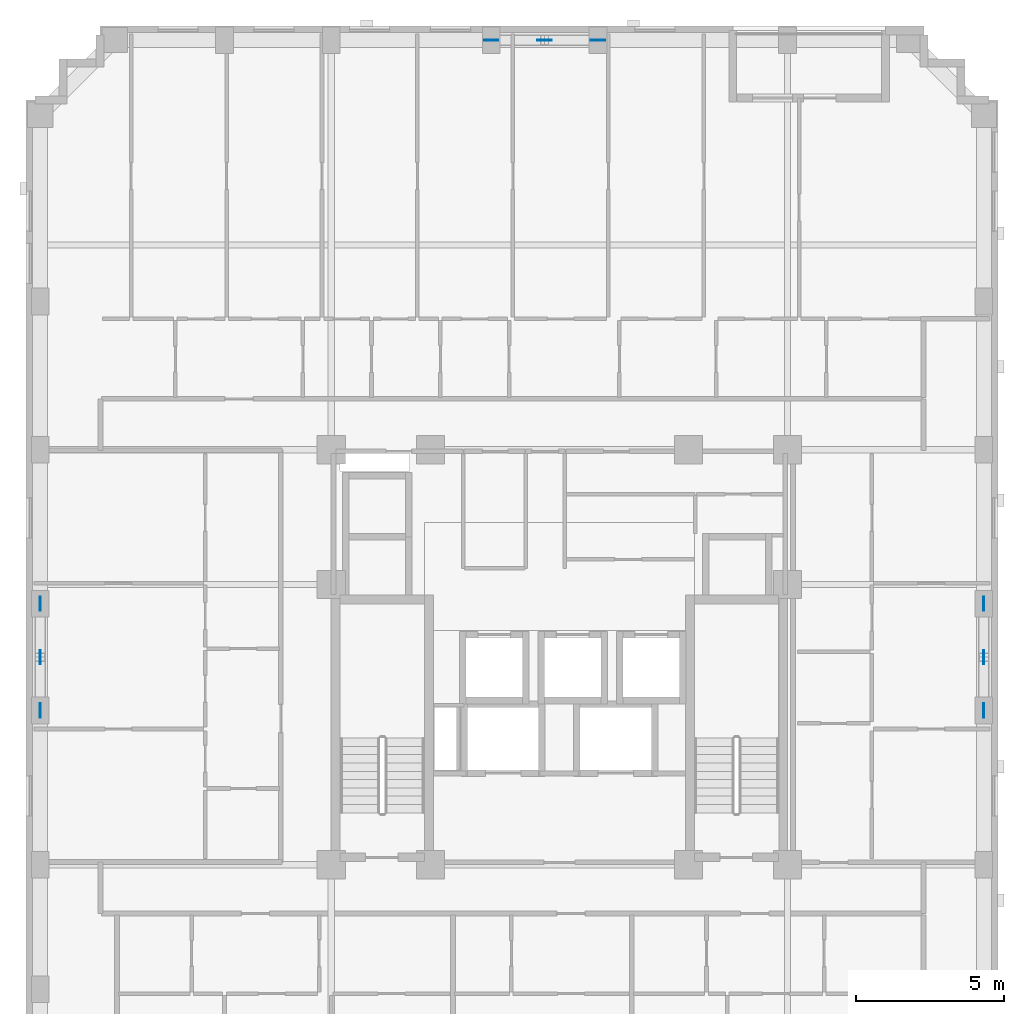
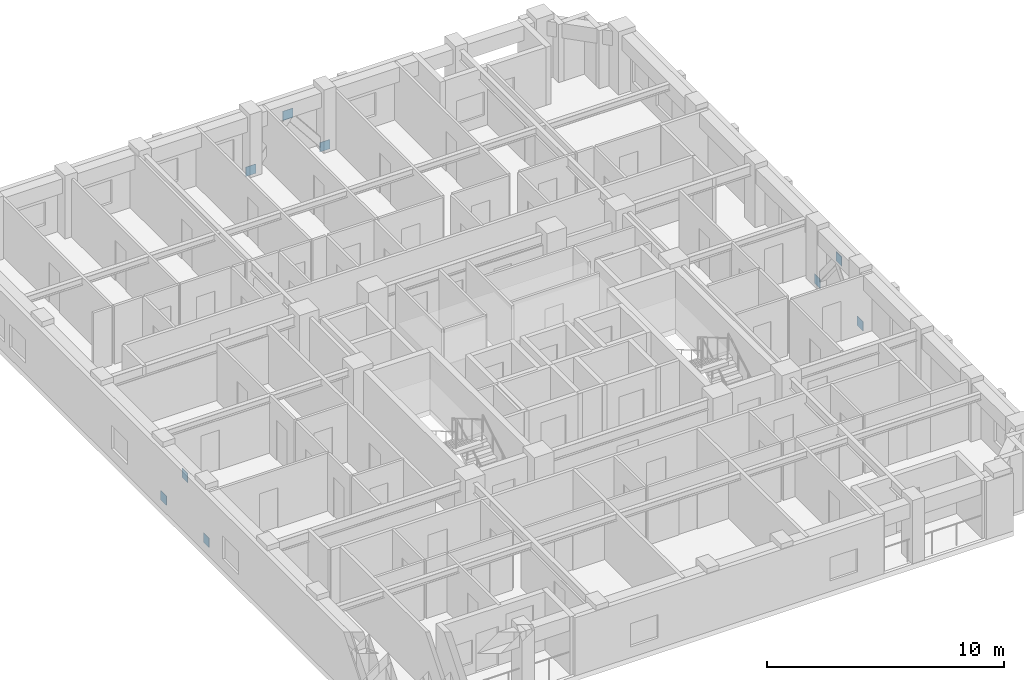
# One storey, part 9 of 11: 9 discrete accessories.
"""IFC4 building model written with IfcOpenShell, lengths in metres."""

from ifc_helpers import new_model, si_unit, derived_unit, direction, frame, origin, origin_2d, place, context, subcontext, project, spatial, rectangle, extrude, material, layer, layer_set, type_object, element, save


model = new_model("IFC4")

# Units and contexts
model_context = context("Model", 3, precision=1e-05, world=origin(), true_north=direction((0.0, 1.0)))
body_context = subcontext(model_context, "Body", "Model", "MODEL_VIEW")
ifc_project = project(units=[si_unit("LENGTHUNIT", "METRE"), si_unit("AREAUNIT", "SQUARE_METRE"), si_unit("VOLUMEUNIT", "CUBIC_METRE"), si_unit("PLANEANGLEUNIT", "RADIAN"), si_unit("MASSUNIT", "GRAM", prefix="KILO"), derived_unit("THERMALTRANSMITTANCEUNIT", [(si_unit("MASSUNIT", "GRAM", prefix="KILO"), 1), (si_unit("TIMEUNIT", "SECOND"), -3), (si_unit("THERMODYNAMICTEMPERATUREUNIT", "KELVIN"), -1)])], contexts=[model_context])

# Site, building, storey
site_placement = place(None, origin())
site = spatial("IfcSite", under=ifc_project, at=site_placement, CompositionType="ELEMENT")
building_placement = place(site_placement, origin())
building = spatial("IfcBuilding", under=site, at=building_placement, Name="Korrvale Station Residences", CompositionType="ELEMENT")
storey_placement = place(building_placement, frame((0.0, 0.0, 160.14990234375)))
storey = spatial("IfcBuildingStorey", under=building, at=storey_placement, Name="L46", CompositionType="ELEMENT", Elevation=160.14990234375)

# Discrete accessories
ifc_material = material(Name="Steel S355", Category="steel")
ifc_layer = layer(ifc_material, 0.02490234375, Name="Steel S355")
ifc_layer_set = layer_set([ifc_layer], Name="Steel S355")
discrete_accessory_type = type_object("IfcDiscreteAccessoryType", Name="ACC-GUSSET-25", PredefinedType="BRACKET", material=ifc_layer_set)
for number, where, z_axis, x_axis, name in (
    (1, (23.199951171875, 42.820068359375, -0.219970703125), (0.0, 0.0, 1.0), (1.0, 0.0, 0.0), "L46 N Brace End Gusset Connection A"),
    (2, (26.800048828125, 42.820068359375, -0.219970703125), (0.0, 0.0, 1.0), (1.0, 0.0, 0.0), "L46 N Brace End Gusset Connection B"),
    (3, (25.0, 42.820068359375, 2.02001953125), (0.0, 0.0, 1.0), (1.0, 0.0, 0.0), "L46 N Brace End Gusset Connection M"),
    (4, (7.97998046875, 20.199951171875, -0.219970703125), (0.0, 0.0, 1.0), (0.0, 1.0, 0.0), "L46 W Brace End Gusset Connection A"),
    (5, (7.97998046875, 23.800048828125, -0.219970703125), (0.0, 0.0, 1.0), (0.0, 1.0, 0.0), "L46 W Brace End Gusset Connection B"),
    (6, (7.97998046875, 22.0, 2.02001953125), (0.0, 0.0, 1.0), (0.0, 1.0, 0.0), "L46 W Brace End Gusset Connection M"),
    (7, (39.820068359375, 20.199951171875, -0.219970703125), (0.0, 0.0, 1.0), (0.0, 1.0, 0.0), "L46 E Brace End Gusset Connection A"),
    (8, (39.820068359375, 23.800048828125, -0.219970703125), (0.0, 0.0, 1.0), (0.0, 1.0, 0.0), "L46 E Brace End Gusset Connection B"),
    (9, (39.820068359375, 22.0, 2.02001953125), (0.0, 0.0, 1.0), (0.0, 1.0, 0.0), "L46 E Brace End Gusset Connection M"),
):
    element("IfcDiscreteAccessory", number, at=place(storey_placement, frame(where, z_axis=z_axis, x_axis=x_axis)), inside=storey, type_object=discrete_accessory_type, Name=name, PredefinedType="BRACKET", context=body_context, shape_type="SweptSolid", body=[
        extrude(rectangle(XDim=0.47998046875, YDim=0.02490234375, at=origin_2d()), origin(), (0.0, 0.0, 1.0), 0.47998046875),
    ])

save(model, "model.ifc")
